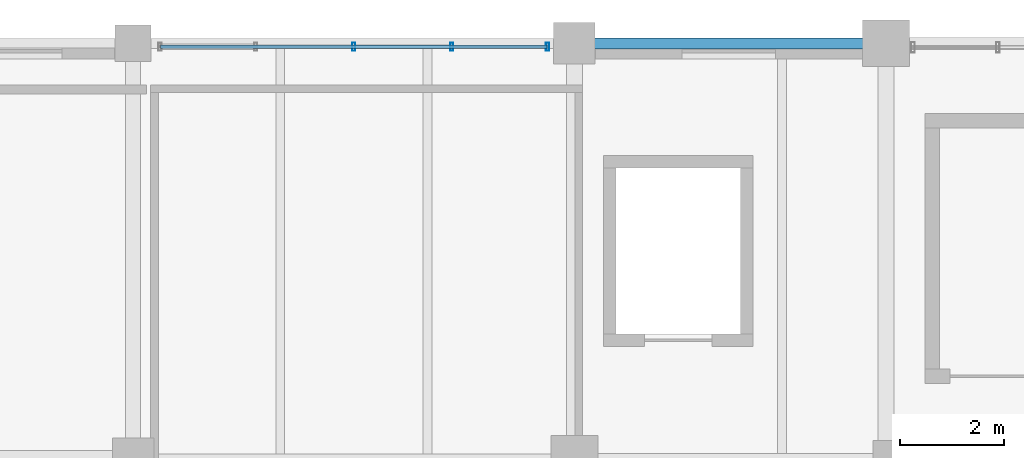
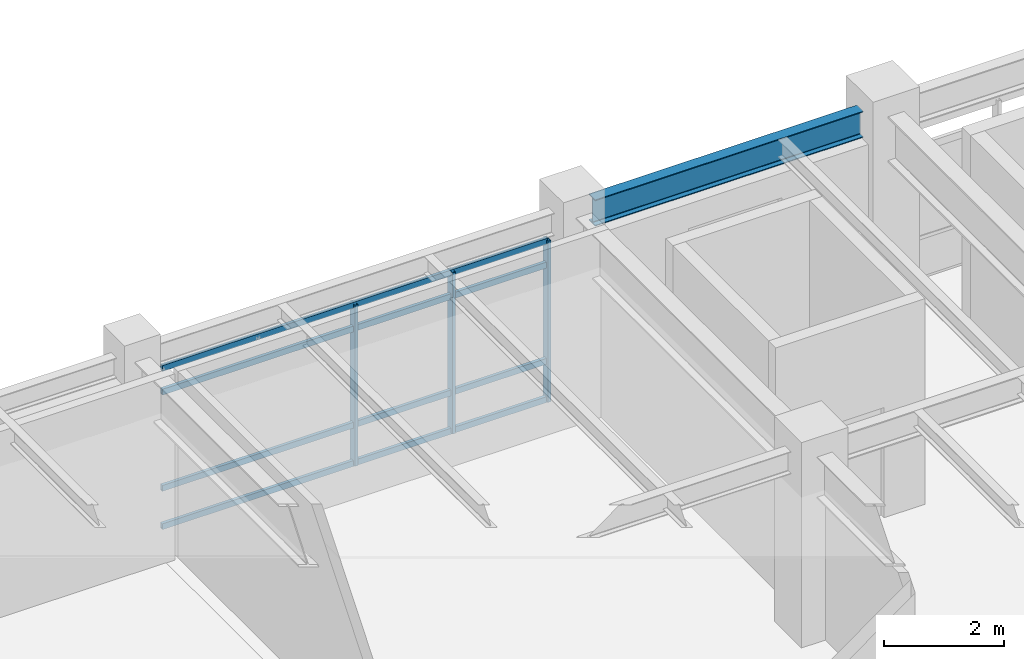
# One storey, part 38 of 56: 7 members, 1 beam, 1 element without a shape of its own.
"""IFC4 building model written with IfcOpenShell, lengths in metres."""

from ifc_helpers import new_model, si_unit, direction, frame, origin, origin_2d, place, context, subcontext, project, spatial, hollow_rectangle, i_section, extrude, material, material_profile, profile_set, type_object, element, aggregate, save


model = new_model("IFC4")

# Units and contexts
model_context = context("Model", 3, precision=1e-05, world=origin(), true_north=direction((0.0, 1.0)))
body_context = subcontext(model_context, "Body", "Model", "MODEL_VIEW")
ifc_project = project(units=[si_unit("LENGTHUNIT", "METRE"), si_unit("AREAUNIT", "SQUARE_METRE"), si_unit("VOLUMEUNIT", "CUBIC_METRE"), si_unit("PLANEANGLEUNIT", "RADIAN"), si_unit("MASSUNIT", "GRAM", prefix="KILO"), si_unit("THERMODYNAMICTEMPERATUREUNIT", "KELVIN"), si_unit("POWERUNIT", "WATT")], contexts=[model_context])

# Site, building, storey
site_placement = place(None, origin())
site = spatial("IfcSite", under=ifc_project, at=site_placement, CompositionType="ELEMENT")
building_placement = place(site_placement, origin())
building = spatial("IfcBuilding", under=site, at=building_placement, Name="Tepalcoro Natatorium and Aquatics Centre", CompositionType="ELEMENT")
storey_placement = place(building_placement, frame((0.0, 0.0, 14.800048828125)))
storey = spatial("IfcBuildingStorey", under=building, at=storey_placement, Name="L03", CompositionType="ELEMENT", Elevation=14.800048828125)

# Curtain wall, members
ifc_material_1 = material(Name="Bronze-Anodised Extruded Aluminium Alloy EN AW-6063 T6", Category="aluminium")
curtain_wall_type = type_object("IfcCurtainWallType", Name="CW_V2_DIVING", PredefinedType="USERDEFINED", material=ifc_material_1)
curtain_wall_placement = place(storey_placement, origin())
curtain_wall = element("IfcCurtainWall", 1, at=curtain_wall_placement, inside=storey, type_object=curtain_wall_type, Name="V5 L03 N Unitised Curtain Wall Bay 6", ObjectType="FACETED SOLAR GLAZING", PredefinedType="USERDEFINED")
ifc_material_profile_1 = material_profile(ifc_material_1, hollow_rectangle(XDim=0.06005859375, YDim=0.159912109375, WallThickness=0.00390625, at=origin_2d()), Name="AL60X160X4")
ifc_profile_set_1 = profile_set([ifc_material_profile_1], Name="Bronze-Anodised Extruded Aluminium Alloy EN AW-6063 T6")
member_type_1 = type_object("IfcMemberType", Name="CW_MUL_60x160", PredefinedType="MULLION", material=ifc_profile_set_1)
member_1_placement = place(storey_placement, frame((154.75, 117.93505859375, 0.02001953125), z_axis=(0.0, 0.0, 1.0), x_axis=(1.0, 0.0, 0.0)))
member_1 = element("IfcMember", 2, at=member_1_placement, type_object=member_type_1, Name="CW_V2_DIVING Curtain Wall Mullion", PredefinedType="MULLION", context=body_context, shape_type="SweptSolid", body=[
    extrude(hollow_rectangle(XDim=0.06005859375, YDim=0.159912109375, WallThickness=0.00390625, at=origin_2d()), origin(), (0.0, 0.0, 1.0), 3.2900390625),
])
member_2_placement = place(storey_placement, frame((156.635009765625, 117.93505859375, 0.02001953125), z_axis=(0.0, 0.0, 1.0), x_axis=(1.0, 0.0, 0.0)))
member_2 = element("IfcMember", 3, at=member_2_placement, type_object=member_type_1, Name="CW_V2_DIVING Curtain Wall Mullion", PredefinedType="MULLION", context=body_context, shape_type="SweptSolid", body=[
    extrude(hollow_rectangle(XDim=0.06005859375, YDim=0.159912109375, WallThickness=0.00390625, at=origin_2d()), origin(), (0.0, 0.0, 1.0), 3.2900390625),
])
member_3_placement = place(storey_placement, frame((158.47998046875, 117.93505859375, 0.02001953125), z_axis=(0.0, 0.0, 1.0), x_axis=(1.0, 0.0, 0.0)))
member_3 = element("IfcMember", 4, at=member_3_placement, type_object=member_type_1, Name="CW_V2_DIVING Curtain Wall Mullion", PredefinedType="MULLION", context=body_context, shape_type="SweptSolid", body=[
    extrude(hollow_rectangle(XDim=0.06005859375, YDim=0.159912109375, WallThickness=0.00390625, at=origin_2d()), origin(), (0.0, 0.0, 1.0), 3.2900390625),
])
ifc_material_profile_2 = material_profile(ifc_material_1, hollow_rectangle(XDim=0.06005859375, YDim=0.1201171875, WallThickness=0.00390625, at=origin_2d()), Name="AL60X120X4")
ifc_profile_set_2 = profile_set([ifc_material_profile_2], Name="Bronze-Anodised Extruded Aluminium Alloy EN AW-6063 T6")
member_type_2 = type_object("IfcMemberType", Name="CW_TRN_60x120", PredefinedType="USERDEFINED", material=ifc_profile_set_2)
member_4_placement = place(storey_placement, frame((151.030029296875, 117.93505859375, 0.050048828125), z_axis=(1.0, 0.0, 0.0), x_axis=(0.0, 1.0, 0.0)))
member_4 = element("IfcMember", 5, at=member_4_placement, type_object=member_type_2, Name="CW_V2_DIVING Curtain Wall Transom", ObjectType="TRANSOM", PredefinedType="USERDEFINED", context=body_context, shape_type="SweptSolid", body=[
    extrude(hollow_rectangle(XDim=0.06005859375, YDim=0.1201171875, WallThickness=0.00390625, at=origin_2d()), origin(), (0.0, 0.0, 1.0), 7.43994140625),
])
member_5_placement = place(storey_placement, frame((151.030029296875, 117.93505859375, 0.83251953125), z_axis=(1.0, 0.0, 0.0), x_axis=(0.0, 1.0, 0.0)))
member_5 = element("IfcMember", 6, at=member_5_placement, type_object=member_type_2, Name="CW_V2_DIVING Curtain Wall Transom", ObjectType="TRANSOM", PredefinedType="USERDEFINED", context=body_context, shape_type="SweptSolid", body=[
    extrude(hollow_rectangle(XDim=0.06005859375, YDim=0.1201171875, WallThickness=0.00390625, at=origin_2d()), origin(), (0.0, 0.0, 1.0), 7.43994140625),
])
member_6_placement = place(storey_placement, frame((151.030029296875, 117.93505859375, 2.797119140625), z_axis=(1.0, 0.0, 0.0), x_axis=(0.0, 1.0, 0.0)))
member_6 = element("IfcMember", 7, at=member_6_placement, type_object=member_type_2, Name="CW_V2_DIVING Curtain Wall Transom", ObjectType="TRANSOM", PredefinedType="USERDEFINED", context=body_context, shape_type="SweptSolid", body=[
    extrude(hollow_rectangle(XDim=0.06005859375, YDim=0.1201171875, WallThickness=0.00390625, at=origin_2d()), origin(), (0.0, 0.0, 1.0), 7.43994140625),
])
member_7_placement = place(storey_placement, frame((151.030029296875, 117.93505859375, 3.280029296875), z_axis=(1.0, 0.0, 0.0), x_axis=(0.0, 1.0, 0.0)))
member_7 = element("IfcMember", 8, at=member_7_placement, type_object=member_type_2, Name="CW_V2_DIVING Curtain Wall Transom", ObjectType="TRANSOM", PredefinedType="USERDEFINED", context=body_context, shape_type="SweptSolid", body=[
    extrude(hollow_rectangle(XDim=0.06005859375, YDim=0.1201171875, WallThickness=0.00390625, at=origin_2d()), origin(), (0.0, 0.0, 1.0), 7.43994140625),
])
aggregate(curtain_wall, [member_1, member_2, member_3, member_4, member_5, member_6, member_7])

# Beam
ifc_material_2 = material(Name="Steel ASTM A992 Grade 50 (Fy 345 MPa)", Category="steel")
ifc_material_profile_3 = material_profile(ifc_material_2, i_section(OverallWidth=0.2099609375, OverallDepth=0.535888671875, WebThickness=0.010986328125, FlangeThickness=0.01708984375, FilletRadius=0.013916015625, at=origin_2d()), Name="W21X68")
ifc_profile_set_3 = profile_set([ifc_material_profile_3], Name="Steel ASTM A992 Grade 50 (Fy 345 MPa)")
beam_type = type_object("IfcBeamType", Name="SP_W21x68", PredefinedType="SPANDREL", material=ifc_profile_set_3)
beam_placement = place(storey_placement, frame((159.385009765625, 118.0, 3.536865234375), z_axis=(1.0, 0.0, 0.0), x_axis=(0.0, 1.0, 0.0)))
element("IfcBeam", 9, at=beam_placement, inside=storey, type_object=beam_type, Name="V5 L03 Grid Girder X", PredefinedType="SPANDREL", context=body_context, shape_type="SweptSolid", body=[
    extrude(i_section(OverallWidth=0.2099609375, OverallDepth=0.535888671875, WebThickness=0.010986328125, FlangeThickness=0.01708984375, FilletRadius=0.013916015625, at=origin_2d()), origin(), (0.0, 0.0, 1.0), 5.179931640625),
])

save(model, "model.ifc")
